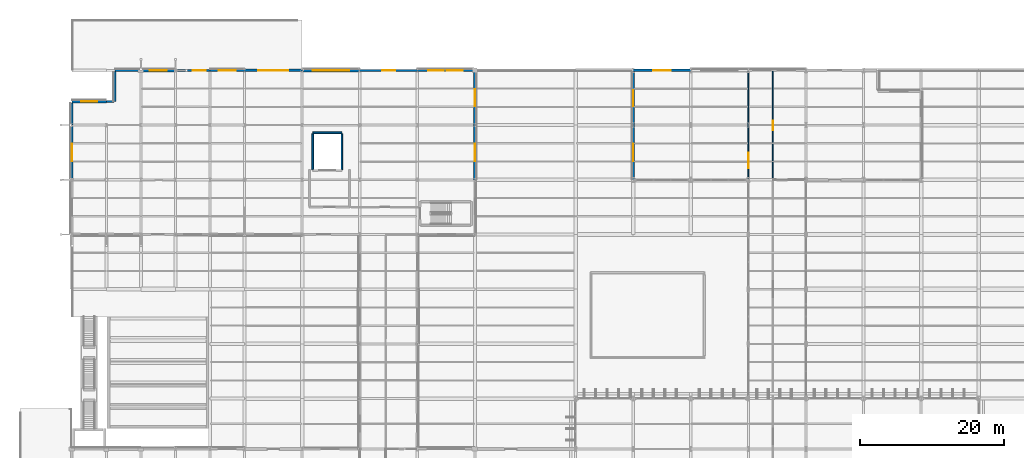
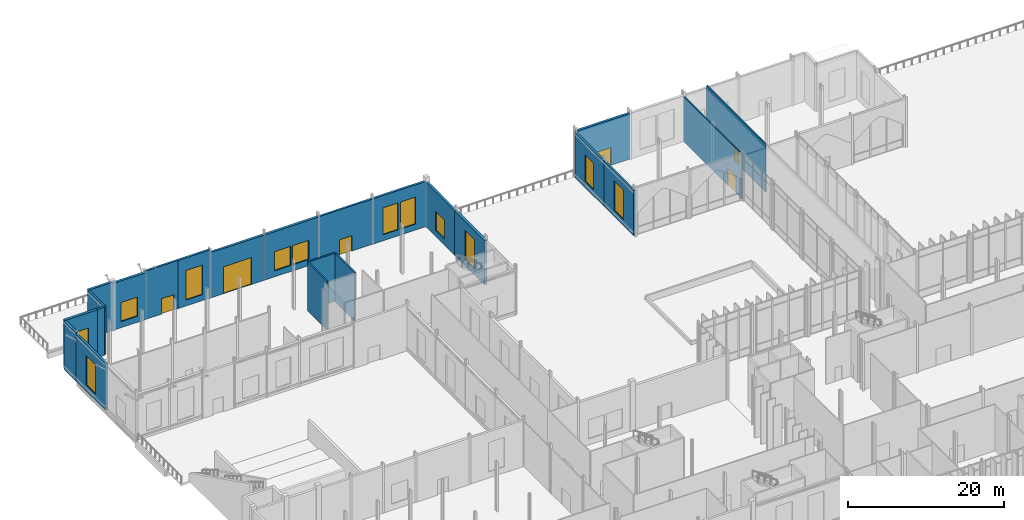
# One storey, part 148 of 176: 23 walls, 12 windows, 6 doors, 18 openings.
"""IFC4 building model written with IfcOpenShell, lengths in metres."""

from ifc_helpers import new_model, si_unit, direction, frame, frame_2d, origin, place, context, subcontext, project, spatial, rectangle, extrude, material, layer, layer_set, type_object, element, fill, save


model = new_model("IFC4")

# Units and contexts
model_context = context("Model", 3, precision=1e-05, world=origin(), true_north=direction((0.0, 1.0)))
body_context = subcontext(model_context, "Body", "Model", "MODEL_VIEW")
ifc_project = project(units=[si_unit("LENGTHUNIT", "METRE"), si_unit("AREAUNIT", "SQUARE_METRE"), si_unit("VOLUMEUNIT", "CUBIC_METRE"), si_unit("PLANEANGLEUNIT", "RADIAN"), si_unit("MASSUNIT", "GRAM", prefix="KILO")], contexts=[model_context])

# Site, building, storey
site_placement = place(None, origin())
site = spatial("IfcSite", under=ifc_project, at=site_placement, CompositionType="ELEMENT")
building_placement = place(site_placement, origin())
building = spatial("IfcBuilding", under=site, at=building_placement, Name="Vekula Escarpment Museum", CompositionType="ELEMENT")
storey_placement = place(building_placement, origin())
storey = spatial("IfcBuildingStorey", under=building, at=storey_placement, Name="L01", CompositionType="ELEMENT", Elevation=0.0)

# Wall, opening, window
ifc_material_1 = material(Name="Inkisi arkosic sandstone masonry", Category="masonry")
ifc_layer_1 = layer(ifc_material_1, 0.300048828125)
ifc_layer_set_1 = layer_set([ifc_layer_1], Name="Inkisi arkosic sandstone masonry")
wall_type_1 = type_object("IfcWallType", Name="WL-ALM-300", PredefinedType="SOLIDWALL", material=ifc_layer_set_1)
wall_1_placement = place(storey_placement, frame((78.0, 120.800048828125, 0.0), z_axis=(0.0, 0.0, 1.0), x_axis=(0.0, 1.0, 0.0)))
wall_1 = element("IfcWall", 1, at=wall_1_placement, inside=storey, type_object=wall_type_1, Name="Exterior Wall WL-EXT-L01-0187", PredefinedType="SOLIDWALL", context=body_context, shape_type="SweptSolid", body=[
    extrude(rectangle(XDim=7.599853515625, YDim=0.300048828125, at=frame_2d((3.7998046875, 0.0))), origin(), (0.0, 0.0, 1.0), 7.02490234375),
])
opening_1_placement = place(wall_1_placement, frame((2.60009765625, 0.0, 0.949951171875)))
opening_1 = element("IfcOpeningElement", 2, at=opening_1_placement, cuts=wall_1, Name="Opening WN-05", PredefinedType="OPENING", context=body_context, shape_type="SweptSolid", body=[
    extrude(rectangle(XDim=2.39990234375, YDim=4.60009765625, at=frame_2d((1.199951171875, 2.300048828125))), frame((0.0, 0.159912109375, 0.0), z_axis=(0.0, -1.0, 0.0), x_axis=(1.0, 0.0, 0.0)), (0.0, 0.0, 1.0), 0.320068359375),
])
ifc_material_2 = material(Name="Double solar-control low-E glass", Category="glass")
window_type_1 = type_object("IfcWindowType", Name="WN-ARCH-24x46", PartitioningType="TRIPLE_PANEL_VERTICAL", PredefinedType="WINDOW", material=ifc_material_2)
window_1_placement = place(opening_1_placement, origin())
window_1 = element("IfcWindow", 3, at=window_1_placement, inside=storey, type_object=window_type_1, Name="Window L01-0071", OverallHeight=4.60009765625, OverallWidth=2.39990234375, PartitioningType="SINGLE_PANEL", PredefinedType="WINDOW", context=body_context, shape_type="SweptSolid", body=[
    extrude(rectangle(XDim=2.39990234375, YDim=4.60009765625, at=frame_2d((1.199951171875, 2.300048828125))), frame((0.0, 0.030029296875, 0.0), z_axis=(0.0, -1.0, 0.0), x_axis=(1.0, 0.0, 0.0)), (0.0, 0.0, 1.0), 0.06005859375),
])
fill(opening_1, window_1)

# Wall, opening, door
wall_2_placement = place(storey_placement, frame((40.0, 136.0, 0.0), z_axis=(0.0, 0.0, 1.0), x_axis=(1.0, 0.0, 0.0)))
wall_2 = element("IfcWall", 4, at=wall_2_placement, inside=storey, type_object=wall_type_1, Name="Exterior Wall WL-EXT-L01-0219", PredefinedType="SOLIDWALL", context=body_context, shape_type="SweptSolid", body=[
    extrude(rectangle(XDim=8.0, YDim=0.300048828125, at=frame_2d((4.0, 0.0))), origin(), (0.0, 0.0, 1.0), 7.074951171875),
])
opening_2_placement = place(wall_2_placement, frame((3.10009765625, 0.0, 0.0)))
opening_2 = element("IfcOpeningElement", 5, at=opening_2_placement, cuts=wall_2, Name="Opening D-EX06", PredefinedType="OPENING", context=body_context, shape_type="SweptSolid", body=[
    extrude(rectangle(XDim=1.800048828125, YDim=2.39990234375, at=frame_2d((0.89990234375, 1.199951171875))), frame((0.0, 0.159912109375, 0.0), z_axis=(0.0, -1.0, 0.0), x_axis=(1.0, 0.0, 0.0)), (0.0, 0.0, 1.0), 0.320068359375),
])
ifc_material_3 = material(Name="Powder-coated steel exit door", Category="steel")
door_type_1 = type_object("IfcDoorType", Name="DR-EX-1800x2400", OperationType="NOTDEFINED", PredefinedType="DOOR", material=ifc_material_3)
door_1_placement = place(opening_2_placement, origin())
door_1 = element("IfcDoor", 6, at=door_1_placement, inside=storey, type_object=door_type_1, Name="North Service Corridor Exit D-EX06", OperationType="SINGLE_SWING_RIGHT", OverallHeight=2.39990234375, OverallWidth=1.800048828125, PredefinedType="DOOR", context=body_context, shape_type="SweptSolid", body=[
    extrude(rectangle(XDim=1.800048828125, YDim=2.39990234375, at=frame_2d((0.89990234375, 1.199951171875))), frame((0.0, 0.02490234375, 0.0), z_axis=(0.0, -1.0, 0.0), x_axis=(1.0, 0.0, 0.0)), (0.0, 0.0, 1.0), 0.050048828125),
])
fill(opening_2, door_1)

wall_3_placement = place(storey_placement, frame((14.39990234375, 136.0, 0.0), z_axis=(0.0, 0.0, 1.0), x_axis=(1.0, 0.0, 0.0)))
wall_3 = element("IfcWall", 7, at=wall_3_placement, inside=storey, type_object=wall_type_1, Name="Exterior Wall WL-EXT-L01-0223", PredefinedType="SOLIDWALL", context=body_context, shape_type="SweptSolid", body=[
    extrude(rectangle(XDim=4.800048828125, YDim=0.300048828125, at=frame_2d((2.39990234375, 0.0))), origin(), (0.0, 0.0, 1.0), 7.5400390625),
])
opening_3_placement = place(wall_3_placement, frame((2.39990234375, 0.0, 0.0)))
opening_3 = element("IfcOpeningElement", 8, at=opening_3_placement, cuts=wall_3, Name="Opening D-EX20", PredefinedType="OPENING", context=body_context, shape_type="SweptSolid", body=[
    extrude(rectangle(XDim=1.800048828125, YDim=2.39990234375, at=frame_2d((0.89990234375, 1.199951171875))), frame((0.0, 0.159912109375, 0.0), z_axis=(0.0, -1.0, 0.0), x_axis=(1.0, 0.0, 0.0)), (0.0, 0.0, 1.0), 0.320068359375),
])
door_2_placement = place(opening_3_placement, origin())
door_2 = element("IfcDoor", 9, at=door_2_placement, inside=storey, type_object=door_type_1, Name="Loading Dock Personnel Exit Door D-EX20", OperationType="SINGLE_SWING_LEFT", OverallHeight=2.39990234375, OverallWidth=1.800048828125, PredefinedType="DOOR", context=body_context, shape_type="SweptSolid", body=[
    extrude(rectangle(XDim=1.800048828125, YDim=2.39990234375, at=frame_2d((0.89990234375, 1.199951171875))), frame((0.0, 0.02490234375, 0.0), z_axis=(0.0, -1.0, 0.0), x_axis=(1.0, 0.0, 0.0)), (0.0, 0.0, 1.0), 0.050048828125),
])
fill(opening_3, door_2)

# Wall
wall_4_placement = place(storey_placement, frame((4.800048828125, 131.66796875, 0.0), z_axis=(0.0, 0.0, 1.0), x_axis=(1.0, 0.0, 0.0)))
element("IfcWall", 10, at=wall_4_placement, inside=storey, type_object=wall_type_1, Name="Exterior Wall WL-EXT-L01-0227", PredefinedType="SOLIDWALL", context=body_context, shape_type="SweptSolid", body=[
    extrude(rectangle(XDim=1.035888671875, YDim=0.300048828125, at=frame_2d((0.51806640625, 0.0))), origin(), (0.0, 0.0, 1.0), 7.5400390625),
])

# Wall, opening, window
ifc_material_4 = material(Name="Inkisi arkosic sandstone masonry", Category="masonry")
ifc_layer_2 = layer(ifc_material_4, 0.320068359375)
ifc_layer_set_2 = layer_set([ifc_layer_2], Name="Inkisi arkosic sandstone masonry")
wall_type_2 = type_object("IfcWallType", Name="WL-ALM-320", PredefinedType="SOLIDWALL", material=ifc_layer_set_2)
wall_5_placement = place(storey_placement, frame((78.0, 128.39990234375, 0.0), z_axis=(0.0, 0.0, 1.0), x_axis=(0.0, 1.0, 0.0)))
wall_5 = element("IfcWall", 11, at=wall_5_placement, inside=storey, type_object=wall_type_2, Name="Exterior Wall WL-EXT-L01-0186", PredefinedType="SOLIDWALL", context=body_context, shape_type="SweptSolid", body=[
    extrude(rectangle(XDim=7.421142578125, YDim=0.320068359375, at=frame_2d((3.71044921875, 0.0))), origin(), (0.0, 0.0, 1.0), 7.02490234375),
])
opening_4_placement = place(wall_5_placement, frame((2.610595703125, 0.0, 0.949951171875)))
opening_4 = element("IfcOpeningElement", 12, at=opening_4_placement, cuts=wall_5, Name="Opening WN-04", PredefinedType="OPENING", context=body_context, shape_type="SweptSolid", body=[
    extrude(rectangle(XDim=2.199951171875, YDim=4.199951171875, at=frame_2d((1.10009765625, 2.10009765625))), frame((0.0, 0.169921875, 0.0), z_axis=(0.0, -1.0, 0.0), x_axis=(1.0, 0.0, 0.0)), (0.0, 0.0, 1.0), 0.340087890625),
])
ifc_material_5 = material(Name="Double solar-control low-E glass", Category="glass")
window_type_2 = type_object("IfcWindowType", Name="WN-ARCH-22x42", PartitioningType="DOUBLE_PANEL_VERTICAL", PredefinedType="WINDOW", material=ifc_material_5)
window_2_placement = place(opening_4_placement, origin())
window_2 = element("IfcWindow", 13, at=window_2_placement, inside=storey, type_object=window_type_2, Name="Window L01-0070", OverallHeight=4.199951171875, OverallWidth=2.199951171875, PartitioningType="SINGLE_PANEL", PredefinedType="WINDOW", context=body_context, shape_type="SweptSolid", body=[
    extrude(rectangle(XDim=2.199951171875, YDim=4.199951171875, at=frame_2d((1.10009765625, 2.10009765625))), frame((0.0, 0.030029296875, 0.0), z_axis=(0.0, -1.0, 0.0), x_axis=(1.0, 0.0, 0.0)), (0.0, 0.0, 1.0), 0.06005859375),
])
fill(opening_4, window_2)

# Wall, openings, windows
wall_6_placement = place(storey_placement, frame((48.0, 136.0, 0.0), z_axis=(0.0, 0.0, 1.0), x_axis=(1.0, 0.0, 0.0)))
wall_6 = element("IfcWall", 14, at=wall_6_placement, inside=storey, type_object=wall_type_2, Name="Exterior Wall WL-EXT-L01-0218", PredefinedType="SOLIDWALL", context=body_context, shape_type="SweptSolid", body=[
    extrude(rectangle(XDim=7.821044921875, YDim=0.320068359375, at=frame_2d((3.91064453125, 0.0))), origin(), (0.0, 0.0, 1.0), 7.074951171875),
])
opening_5_placement = place(wall_6_placement, frame((1.507080078125, 0.0, 0.949951171875)))
opening_5 = element("IfcOpeningElement", 15, at=opening_5_placement, cuts=wall_6, Name="Opening WN-04", PredefinedType="OPENING", context=body_context, shape_type="SweptSolid", body=[
    extrude(rectangle(XDim=2.199951171875, YDim=4.199951171875, at=frame_2d((1.10009765625, 2.10009765625))), frame((0.0, 0.169921875, 0.0), z_axis=(0.0, -1.0, 0.0), x_axis=(1.0, 0.0, 0.0)), (0.0, 0.0, 1.0), 0.340087890625),
])
opening_6_placement = place(wall_6_placement, frame((4.114013671875, 0.0, 0.949951171875)))
opening_6 = element("IfcOpeningElement", 16, at=opening_6_placement, cuts=wall_6, Name="Opening WN-04", PredefinedType="OPENING", context=body_context, shape_type="SweptSolid", body=[
    extrude(rectangle(XDim=2.199951171875, YDim=4.199951171875, at=frame_2d((1.10009765625, 2.10009765625))), frame((0.0, 0.169921875, 0.0), z_axis=(0.0, -1.0, 0.0), x_axis=(1.0, 0.0, 0.0)), (0.0, 0.0, 1.0), 0.340087890625),
])
window_3_placement = place(opening_5_placement, origin())
window_3 = element("IfcWindow", 17, at=window_3_placement, inside=storey, type_object=window_type_2, Name="Window L01-0082", OverallHeight=4.199951171875, OverallWidth=2.199951171875, PartitioningType="SINGLE_PANEL", PredefinedType="WINDOW", context=body_context, shape_type="SweptSolid", body=[
    extrude(rectangle(XDim=2.199951171875, YDim=4.199951171875, at=frame_2d((1.10009765625, 2.10009765625))), frame((0.0, 0.030029296875, 0.0), z_axis=(0.0, -1.0, 0.0), x_axis=(1.0, 0.0, 0.0)), (0.0, 0.0, 1.0), 0.06005859375),
])
fill(opening_5, window_3)
window_4_placement = place(opening_6_placement, origin())
window_4 = element("IfcWindow", 18, at=window_4_placement, inside=storey, type_object=window_type_2, Name="Window L01-0083", OverallHeight=4.199951171875, OverallWidth=2.199951171875, PartitioningType="SINGLE_PANEL", PredefinedType="WINDOW", context=body_context, shape_type="SweptSolid", body=[
    extrude(rectangle(XDim=2.199951171875, YDim=4.199951171875, at=frame_2d((1.10009765625, 2.10009765625))), frame((0.0, 0.030029296875, 0.0), z_axis=(0.0, -1.0, 0.0), x_axis=(1.0, 0.0, 0.0)), (0.0, 0.0, 1.0), 0.06005859375),
])
fill(opening_6, window_4)

# Wall, opening, window
wall_7_placement = place(storey_placement, frame((19.199951171875, 136.0, 0.0), z_axis=(0.0, 0.0, 1.0), x_axis=(1.0, 0.0, 0.0)))
wall_7 = element("IfcWall", 19, at=wall_7_placement, inside=storey, type_object=wall_type_2, Name="Exterior Wall WL-EXT-L01-0222", PredefinedType="SOLIDWALL", context=body_context, shape_type="SweptSolid", body=[
    extrude(rectangle(XDim=4.800048828125, YDim=0.320068359375, at=frame_2d((2.39990234375, 0.0))), origin(), (0.0, 0.0, 1.0), 7.5400390625),
])
opening_7_placement = place(wall_7_placement, frame((1.199951171875, 0.0, 0.949951171875)))
opening_7 = element("IfcOpeningElement", 20, at=opening_7_placement, cuts=wall_7, Name="Opening WN-05", PredefinedType="OPENING", context=body_context, shape_type="SweptSolid", body=[
    extrude(rectangle(XDim=2.39990234375, YDim=4.60009765625, at=frame_2d((1.199951171875, 2.300048828125))), frame((0.0, 0.169921875, 0.0), z_axis=(0.0, -1.0, 0.0), x_axis=(1.0, 0.0, 0.0)), (0.0, 0.0, 1.0), 0.340087890625),
])
window_5_placement = place(opening_7_placement, origin())
window_5 = element("IfcWindow", 21, at=window_5_placement, inside=storey, type_object=window_type_1, Name="Window L01-0086", OverallHeight=4.60009765625, OverallWidth=2.39990234375, PartitioningType="SINGLE_PANEL", PredefinedType="WINDOW", context=body_context, shape_type="SweptSolid", body=[
    extrude(rectangle(XDim=2.39990234375, YDim=4.60009765625, at=frame_2d((1.199951171875, 2.300048828125))), frame((0.0, 0.030029296875, 0.0), z_axis=(0.0, -1.0, 0.0), x_axis=(1.0, 0.0, 0.0)), (0.0, 0.0, 1.0), 0.06005859375),
])
fill(opening_7, window_5)

# Wall
wall_8_placement = place(storey_placement, frame((6.0, 131.66796875, 0.0), z_axis=(0.0, 0.0, 1.0), x_axis=(0.0, 1.0, 0.0)))
element("IfcWall", 22, at=wall_8_placement, inside=storey, type_object=wall_type_2, Name="Exterior Wall WL-EXT-L01-0226", PredefinedType="SOLIDWALL", context=body_context, shape_type="SweptSolid", body=[
    extrude(rectangle(XDim=4.153076171875, YDim=0.320068359375, at=frame_2d((2.07666015625, 0.0))), origin(), (0.0, 0.0, 1.0), 7.5400390625),
])

# Wall, opening, window
wall_9_placement = place(storey_placement, frame((0.0, 120.800048828125, 0.0), z_axis=(0.0, 0.0, 1.0), x_axis=(0.0, 1.0, 0.0)))
wall_9 = element("IfcWall", 23, at=wall_9_placement, inside=storey, type_object=wall_type_2, Name="Exterior Wall WL-EXT-L01-0230", PredefinedType="SOLIDWALL", context=body_context, shape_type="SweptSolid", body=[
    extrude(rectangle(XDim=7.599853515625, YDim=0.320068359375, at=frame_2d((3.7998046875, 0.0))), origin(), (0.0, 0.0, 1.0), 7.294921875),
])
opening_8_placement = place(wall_9_placement, frame((2.60009765625, 0.0, 0.949951171875)))
opening_8 = element("IfcOpeningElement", 24, at=opening_8_placement, cuts=wall_9, Name="Opening WN-05", PredefinedType="OPENING", context=body_context, shape_type="SweptSolid", body=[
    extrude(rectangle(XDim=2.39990234375, YDim=4.60009765625, at=frame_2d((1.199951171875, 2.300048828125))), frame((0.0, 0.169921875, 0.0), z_axis=(0.0, -1.0, 0.0), x_axis=(1.0, 0.0, 0.0)), (0.0, 0.0, 1.0), 0.340087890625),
])
window_6_placement = place(opening_8_placement, origin())
window_6 = element("IfcWindow", 25, at=window_6_placement, inside=storey, type_object=window_type_1, Name="Window L01-0089", OverallHeight=4.60009765625, OverallWidth=2.39990234375, PartitioningType="SINGLE_PANEL", PredefinedType="WINDOW", context=body_context, shape_type="SweptSolid", body=[
    extrude(rectangle(XDim=2.39990234375, YDim=4.60009765625, at=frame_2d((1.199951171875, 2.300048828125))), frame((0.0, 0.030029296875, 0.0), z_axis=(0.0, -1.0, 0.0), x_axis=(1.0, 0.0, 0.0)), (0.0, 0.0, 1.0), 0.06005859375),
])
fill(opening_8, window_6)

# Wall, opening, door
ifc_material_6 = material(Name="Inkisi arkosic sandstone masonry", Category="masonry")
ifc_layer_3 = layer(ifc_material_6, 0.35009765625)
ifc_layer_set_3 = layer_set([ifc_layer_3], Name="Inkisi arkosic sandstone masonry")
wall_type_3 = type_object("IfcWallType", Name="WL-ALM-350", PredefinedType="SOLIDWALL", material=ifc_layer_set_3)
wall_10_placement = place(storey_placement, frame((78.0, 136.0, 0.0), z_axis=(0.0, 0.0, 1.0), x_axis=(1.0, 0.0, 0.0)))
wall_10 = element("IfcWall", 26, at=wall_10_placement, inside=storey, type_object=wall_type_3, Name="Exterior Wall WL-EXT-L01-0185", PredefinedType="SOLIDWALL", context=body_context, shape_type="SweptSolid", body=[
    extrude(rectangle(XDim=8.0, YDim=0.35009765625, at=frame_2d((4.0, 0.0))), origin(), (0.0, 0.0, 1.0), 7.135009765625),
])
opening_9_placement = place(wall_10_placement, frame((2.800048828125, 0.0, 0.0)))
opening_9 = element("IfcOpeningElement", 27, at=opening_9_placement, cuts=wall_10, Name="Opening D-EX15", PredefinedType="OPENING", context=body_context, shape_type="SweptSolid", body=[
    extrude(rectangle(XDim=2.39990234375, YDim=2.800048828125, at=frame_2d((1.199951171875, 1.39990234375))), frame((0.0, 0.18505859375, 0.0), z_axis=(0.0, -1.0, 0.0), x_axis=(1.0, 0.0, 0.0)), (0.0, 0.0, 1.0), 0.3701171875),
])
ifc_material_7 = material(Name="Bronze-anodized glazed exit door", Category="aluminium")
door_type_2 = type_object("IfcDoorType", Name="DR-EX-2400x2800", OperationType="NOTDEFINED", PredefinedType="DOOR", material=ifc_material_7)
door_3_placement = place(opening_9_placement, origin())
door_3 = element("IfcDoor", 28, at=door_3_placement, inside=storey, type_object=door_type_2, Name="North Ethnography Exit D-EX15", OperationType="SINGLE_SWING_LEFT", OverallHeight=2.800048828125, OverallWidth=2.39990234375, PredefinedType="DOOR", context=body_context, shape_type="SweptSolid", body=[
    extrude(rectangle(XDim=2.39990234375, YDim=2.800048828125, at=frame_2d((1.199951171875, 1.39990234375))), frame((0.0, 0.02490234375, 0.0), z_axis=(0.0, -1.0, 0.0), x_axis=(1.0, 0.0, 0.0)), (0.0, 0.0, 1.0), 0.050048828125),
])
fill(opening_9, door_3)

# Wall, opening, window
wall_11_placement = place(storey_placement, frame((56.0, 136.0, 0.0), z_axis=(0.0, 0.0, 1.0), x_axis=(0.0, -1.0, 0.0)))
wall_11 = element("IfcWall", 29, at=wall_11_placement, inside=storey, type_object=wall_type_3, Name="Exterior Wall WL-EXT-L01-0217", PredefinedType="SOLIDWALL", context=body_context, shape_type="SweptSolid", body=[
    extrude(rectangle(XDim=7.60009765625, YDim=0.35009765625, at=frame_2d((3.800048828125, 0.0))), origin(), (0.0, 0.0, 1.0), 6.965087890625),
])
opening_10_placement = place(wall_11_placement, frame((2.60009765625, 0.0, 0.949951171875)))
opening_10 = element("IfcOpeningElement", 30, at=opening_10_placement, cuts=wall_11, Name="Opening WN-14", PredefinedType="OPENING", context=body_context, shape_type="SweptSolid", body=[
    extrude(rectangle(XDim=2.39990234375, YDim=3.0, at=frame_2d((1.199951171875, 1.5))), frame((0.0, 0.18505859375, 0.0), z_axis=(0.0, -1.0, 0.0), x_axis=(1.0, 0.0, 0.0)), (0.0, 0.0, 1.0), 0.3701171875),
])
ifc_material_8 = material(Name="Double solar-control low-E glass", Category="glass")
window_type_3 = type_object("IfcWindowType", Name="WN-CAFE-24x30", PartitioningType="TRIPLE_PANEL_VERTICAL", PredefinedType="WINDOW", material=ifc_material_8)
window_7_placement = place(opening_10_placement, origin())
window_7 = element("IfcWindow", 31, at=window_7_placement, inside=storey, type_object=window_type_3, Name="Window L01-0081", OverallHeight=3.0, OverallWidth=2.39990234375, PartitioningType="SINGLE_PANEL", PredefinedType="WINDOW", context=body_context, shape_type="SweptSolid", body=[
    extrude(rectangle(XDim=2.39990234375, YDim=3.0, at=frame_2d((1.199951171875, 1.5))), frame((0.0, 0.030029296875, 0.0), z_axis=(0.0, -1.0, 0.0), x_axis=(1.0, 0.0, 0.0)), (0.0, 0.0, 1.0), 0.06005859375),
])
fill(opening_10, window_7)

# Wall, opening, door
wall_12_placement = place(storey_placement, frame((24.0, 136.0, 0.0), z_axis=(0.0, 0.0, 1.0), x_axis=(1.0, 0.0, 0.0)))
wall_12 = element("IfcWall", 32, at=wall_12_placement, inside=storey, type_object=wall_type_3, Name="Exterior Wall WL-EXT-L01-0221", PredefinedType="SOLIDWALL", context=body_context, shape_type="SweptSolid", body=[
    extrude(rectangle(XDim=8.0, YDim=0.35009765625, at=frame_2d((4.0, 0.0))), origin(), (0.0, 0.0, 1.0), 7.074951171875),
])
opening_11_placement = place(wall_12_placement, frame((1.89990234375, 0.0, 0.0)))
opening_11 = element("IfcOpeningElement", 33, at=opening_11_placement, cuts=wall_12, Name="Opening D-SH01", PredefinedType="OPENING", context=body_context, shape_type="SweptSolid", body=[
    extrude(rectangle(XDim=4.199951171875, YDim=4.199951171875, at=frame_2d((2.10009765625, 2.10009765625))), frame((0.0, 0.18505859375, 0.0), z_axis=(0.0, -1.0, 0.0), x_axis=(1.0, 0.0, 0.0)), (0.0, 0.0, 1.0), 0.3701171875),
])
ifc_material_9 = material(Name="Insulated galvanized steel roller shutter", Category="steel")
door_type_3 = type_object("IfcDoorType", Name="DR-SHUTTER-4200", OperationType="ROLLINGUP", PredefinedType="DOOR", material=ifc_material_9)
door_4_placement = place(opening_11_placement, origin())
door_4 = element("IfcDoor", 34, at=door_4_placement, inside=storey, type_object=door_type_3, Name="Loading Dock Roller Shutter D-SH01", OperationType="ROLLINGUP", OverallHeight=4.199951171875, OverallWidth=4.199951171875, PredefinedType="DOOR", context=body_context, shape_type="SweptSolid", body=[
    extrude(rectangle(XDim=4.199951171875, YDim=4.199951171875, at=frame_2d((2.10009765625, 2.10009765625))), frame((0.0, 0.02490234375, 0.0), z_axis=(0.0, -1.0, 0.0), x_axis=(1.0, 0.0, 0.0)), (0.0, 0.0, 1.0), 0.050048828125),
])
fill(opening_11, door_4)

# Walls
wall_13_placement = place(storey_placement, frame((6.0, 136.0, 0.0), z_axis=(0.0, 0.0, 1.0), x_axis=(1.0, 0.0, 0.0)))
element("IfcWall", 35, at=wall_13_placement, inside=storey, type_object=wall_type_3, Name="Exterior Wall WL-EXT-L01-0225", PredefinedType="SOLIDWALL", context=body_context, shape_type="SweptSolid", body=[
    extrude(rectangle(XDim=3.60009765625, YDim=0.35009765625, at=frame_2d((1.800048828125, 0.0))), origin(), (0.0, 0.0, 1.0), 7.5400390625),
])
wall_14_placement = place(storey_placement, frame((0.0, 128.39990234375, 0.0), z_axis=(0.0, 0.0, 1.0), x_axis=(0.0, 1.0, 0.0)))
element("IfcWall", 36, at=wall_14_placement, inside=storey, type_object=wall_type_3, Name="Exterior Wall WL-EXT-L01-0229", PredefinedType="SOLIDWALL", context=body_context, shape_type="SweptSolid", body=[
    extrude(rectangle(XDim=3.07421875, YDim=0.35009765625, at=frame_2d((1.537109375, 0.0))), origin(), (0.0, 0.0, 1.0), 7.5400390625),
])

# Wall, opening, window
ifc_material_10 = material(Name="Inkisi arkosic sandstone masonry", Category="masonry")
ifc_layer_4 = layer(ifc_material_10, 0.3798828125)
ifc_layer_set_4 = layer_set([ifc_layer_4], Name="Inkisi arkosic sandstone masonry")
wall_type_4 = type_object("IfcWallType", Name="WL-ALM-380", PredefinedType="SOLIDWALL", material=ifc_layer_set_4)
wall_15_placement = place(storey_placement, frame((56.0, 128.39990234375, 0.0), z_axis=(0.0, 0.0, 1.0), x_axis=(0.0, -1.0, 0.0)))
wall_15 = element("IfcWall", 37, at=wall_15_placement, inside=storey, type_object=wall_type_4, Name="Exterior Wall WL-EXT-L01-0216", PredefinedType="SOLIDWALL", context=body_context, shape_type="SweptSolid", body=[
    extrude(rectangle(XDim=7.599853515625, YDim=0.3798828125, at=frame_2d((3.7998046875, 0.0))), origin(), (0.0, 0.0, 1.0), 6.965087890625),
])
opening_12_placement = place(wall_15_placement, frame((2.60009765625, 0.0, 0.949951171875)))
opening_12 = element("IfcOpeningElement", 38, at=opening_12_placement, cuts=wall_15, Name="Opening WN-05", PredefinedType="OPENING", context=body_context, shape_type="SweptSolid", body=[
    extrude(rectangle(XDim=2.39990234375, YDim=4.60009765625, at=frame_2d((1.199951171875, 2.300048828125))), frame((0.0, 0.199951171875, 0.0), z_axis=(0.0, -1.0, 0.0), x_axis=(1.0, 0.0, 0.0)), (0.0, 0.0, 1.0), 0.39990234375),
])
window_8_placement = place(opening_12_placement, origin())
window_8 = element("IfcWindow", 39, at=window_8_placement, inside=storey, type_object=window_type_1, Name="Window L01-0080", OverallHeight=4.60009765625, OverallWidth=2.39990234375, PartitioningType="SINGLE_PANEL", PredefinedType="WINDOW", context=body_context, shape_type="SweptSolid", body=[
    extrude(rectangle(XDim=2.39990234375, YDim=4.60009765625, at=frame_2d((1.199951171875, 2.300048828125))), frame((0.0, 0.030029296875, 0.0), z_axis=(0.0, -1.0, 0.0), x_axis=(1.0, 0.0, 0.0)), (0.0, 0.0, 1.0), 0.06005859375),
])
fill(opening_12, window_8)

# Wall, openings, windows
wall_16_placement = place(storey_placement, frame((32.0, 136.0, 0.0), z_axis=(0.0, 0.0, 1.0), x_axis=(1.0, 0.0, 0.0)))
wall_16 = element("IfcWall", 40, at=wall_16_placement, inside=storey, type_object=wall_type_4, Name="Exterior Wall WL-EXT-L01-0220", PredefinedType="SOLIDWALL", context=body_context, shape_type="SweptSolid", body=[
    extrude(rectangle(XDim=8.0, YDim=0.3798828125, at=frame_2d((4.0, 0.0))), origin(), (0.0, 0.0, 1.0), 7.074951171875),
])
opening_13_placement = place(wall_16_placement, frame((1.466796875, 0.0, 0.949951171875)))
opening_13 = element("IfcOpeningElement", 41, at=opening_13_placement, cuts=wall_16, Name="Opening WN-14", PredefinedType="OPENING", context=body_context, shape_type="SweptSolid", body=[
    extrude(rectangle(XDim=2.39990234375, YDim=3.0, at=frame_2d((1.199951171875, 1.5))), frame((0.0, 0.199951171875, 0.0), z_axis=(0.0, -1.0, 0.0), x_axis=(1.0, 0.0, 0.0)), (0.0, 0.0, 1.0), 0.39990234375),
])
opening_14_placement = place(wall_16_placement, frame((4.13330078125, 0.0, 0.949951171875)))
opening_14 = element("IfcOpeningElement", 42, at=opening_14_placement, cuts=wall_16, Name="Opening WN-14", PredefinedType="OPENING", context=body_context, shape_type="SweptSolid", body=[
    extrude(rectangle(XDim=2.39990234375, YDim=3.0, at=frame_2d((1.199951171875, 1.5))), frame((0.0, 0.199951171875, 0.0), z_axis=(0.0, -1.0, 0.0), x_axis=(1.0, 0.0, 0.0)), (0.0, 0.0, 1.0), 0.39990234375),
])
window_9_placement = place(opening_13_placement, origin())
window_9 = element("IfcWindow", 43, at=window_9_placement, inside=storey, type_object=window_type_3, Name="Window L01-0084", OverallHeight=3.0, OverallWidth=2.39990234375, PartitioningType="SINGLE_PANEL", PredefinedType="WINDOW", context=body_context, shape_type="SweptSolid", body=[
    extrude(rectangle(XDim=2.39990234375, YDim=3.0, at=frame_2d((1.199951171875, 1.5))), frame((0.0, 0.030029296875, 0.0), z_axis=(0.0, -1.0, 0.0), x_axis=(1.0, 0.0, 0.0)), (0.0, 0.0, 1.0), 0.06005859375),
])
fill(opening_13, window_9)
window_10_placement = place(opening_14_placement, origin())
window_10 = element("IfcWindow", 44, at=window_10_placement, inside=storey, type_object=window_type_3, Name="Window L01-0085", OverallHeight=3.0, OverallWidth=2.39990234375, PartitioningType="SINGLE_PANEL", PredefinedType="WINDOW", context=body_context, shape_type="SweptSolid", body=[
    extrude(rectangle(XDim=2.39990234375, YDim=3.0, at=frame_2d((1.199951171875, 1.5))), frame((0.0, 0.030029296875, 0.0), z_axis=(0.0, -1.0, 0.0), x_axis=(1.0, 0.0, 0.0)), (0.0, 0.0, 1.0), 0.06005859375),
])
fill(opening_14, window_10)

# Wall, opening, window
wall_17_placement = place(storey_placement, frame((9.60009765625, 136.0, 0.0), z_axis=(0.0, 0.0, 1.0), x_axis=(1.0, 0.0, 0.0)))
wall_17 = element("IfcWall", 45, at=wall_17_placement, inside=storey, type_object=wall_type_4, Name="Exterior Wall WL-EXT-L01-0224", PredefinedType="SOLIDWALL", context=body_context, shape_type="SweptSolid", body=[
    extrude(rectangle(XDim=4.7998046875, YDim=0.3798828125, at=frame_2d((2.39990234375, 0.0))), origin(), (0.0, 0.0, 1.0), 7.31494140625),
])
opening_15_placement = place(wall_17_placement, frame((1.199951171875, 0.0, 0.949951171875)))
opening_15 = element("IfcOpeningElement", 46, at=opening_15_placement, cuts=wall_17, Name="Opening WN-14", PredefinedType="OPENING", context=body_context, shape_type="SweptSolid", body=[
    extrude(rectangle(XDim=2.39990234375, YDim=3.0, at=frame_2d((1.199951171875, 1.5))), frame((0.0, 0.199951171875, 0.0), z_axis=(0.0, -1.0, 0.0), x_axis=(1.0, 0.0, 0.0)), (0.0, 0.0, 1.0), 0.39990234375),
])
window_11_placement = place(opening_15_placement, origin())
window_11 = element("IfcWindow", 47, at=window_11_placement, inside=storey, type_object=window_type_3, Name="Window L01-0087", OverallHeight=3.0, OverallWidth=2.39990234375, PartitioningType="SINGLE_PANEL", PredefinedType="WINDOW", context=body_context, shape_type="SweptSolid", body=[
    extrude(rectangle(XDim=2.39990234375, YDim=3.0, at=frame_2d((1.199951171875, 1.5))), frame((0.0, 0.030029296875, 0.0), z_axis=(0.0, -1.0, 0.0), x_axis=(1.0, 0.0, 0.0)), (0.0, 0.0, 1.0), 0.06005859375),
])
fill(opening_15, window_11)

wall_18_placement = place(storey_placement, frame((0.0, 131.66796875, 0.0), z_axis=(0.0, 0.0, 1.0), x_axis=(1.0, 0.0, 0.0)))
wall_18 = element("IfcWall", 48, at=wall_18_placement, inside=storey, type_object=wall_type_4, Name="Exterior Wall WL-EXT-L01-0228", PredefinedType="SOLIDWALL", context=body_context, shape_type="SweptSolid", body=[
    extrude(rectangle(XDim=4.800048828125, YDim=0.3798828125, at=frame_2d((2.39990234375, 0.0))), origin(), (0.0, 0.0, 1.0), 7.5400390625),
])
opening_16_placement = place(wall_18_placement, frame((1.300048828125, 0.0, 0.949951171875)))
opening_16 = element("IfcOpeningElement", 49, at=opening_16_placement, cuts=wall_18, Name="Opening WN-04", PredefinedType="OPENING", context=body_context, shape_type="SweptSolid", body=[
    extrude(rectangle(XDim=2.199951171875, YDim=4.199951171875, at=frame_2d((1.10009765625, 2.10009765625))), frame((0.0, 0.199951171875, 0.0), z_axis=(0.0, -1.0, 0.0), x_axis=(1.0, 0.0, 0.0)), (0.0, 0.0, 1.0), 0.39990234375),
])
window_12_placement = place(opening_16_placement, origin())
window_12 = element("IfcWindow", 50, at=window_12_placement, inside=storey, type_object=window_type_2, Name="Window L01-0088", OverallHeight=4.199951171875, OverallWidth=2.199951171875, PartitioningType="SINGLE_PANEL", PredefinedType="WINDOW", context=body_context, shape_type="SweptSolid", body=[
    extrude(rectangle(XDim=2.199951171875, YDim=4.199951171875, at=frame_2d((1.10009765625, 2.10009765625))), frame((0.0, 0.030029296875, 0.0), z_axis=(0.0, -1.0, 0.0), x_axis=(1.0, 0.0, 0.0)), (0.0, 0.0, 1.0), 0.06005859375),
])
fill(opening_16, window_12)

# Wall, opening, door
ifc_material_11 = material(Name="Gypsum board dry-lined partition", Category="gypsum")
ifc_layer_5 = layer(ifc_material_11, 0.14990234375)
ifc_layer_set_5 = layer_set([ifc_layer_5], Name="Gypsum board dry-lined partition")
wall_type_5 = type_object("IfcWallType", Name="WL-PART-150", PredefinedType="PARTITIONING", material=ifc_layer_set_5)
wall_19_placement = place(storey_placement, frame((97.39990234375, 120.800048828125, 0.0), z_axis=(0.0, 0.0, 1.0), x_axis=(0.0, 1.0, 0.0)))
wall_19 = element("IfcWall", 51, at=wall_19_placement, inside=storey, type_object=wall_type_5, Name="Interior Partition WL-INT-L01-0008", PredefinedType="PARTITIONING", context=body_context, shape_type="SweptSolid", body=[
    extrude(rectangle(XDim=15.0458984375, YDim=0.14990234375, at=frame_2d((7.52294921875, 0.0))), origin(), (0.0, 0.0, 1.0), 7.5400390625),
])
opening_17_placement = place(wall_19_placement, frame((6.873046875, 0.0, 0.0)))
opening_17 = element("IfcOpeningElement", 52, at=opening_17_placement, cuts=wall_19, Name="Opening DR-SM13", PredefinedType="OPENING", context=body_context, shape_type="SweptSolid", body=[
    extrude(rectangle(XDim=1.300048828125, YDim=2.25, at=frame_2d((0.64990234375, 1.125))), frame((0.0, 0.0849609375, 0.0), z_axis=(0.0, -1.0, 0.0), x_axis=(1.0, 0.0, 0.0)), (0.0, 0.0, 1.0), 0.169921875),
])
ifc_material_12 = material(Name="Acoustic seminar room door", Category="steel")
door_type_4 = type_object("IfcDoorType", Name="DR-SEM-1300x2250", OperationType="NOTDEFINED", PredefinedType="DOOR", material=ifc_material_12)
door_5_placement = place(opening_17_placement, origin())
door_5 = element("IfcDoor", 53, at=door_5_placement, inside=storey, type_object=door_type_4, Name="Interior Door L01-008", OperationType="SINGLE_SWING_LEFT", OverallHeight=2.25, OverallWidth=1.300048828125, PredefinedType="DOOR", context=body_context, shape_type="SweptSolid", body=[
    extrude(rectangle(XDim=1.300048828125, YDim=2.25, at=frame_2d((0.64990234375, 1.125))), frame((0.0, 0.02490234375, 0.0), z_axis=(0.0, -1.0, 0.0), x_axis=(1.0, 0.0, 0.0)), (0.0, 0.0, 1.0), 0.050048828125),
])
fill(opening_17, door_5)

ifc_material_13 = material(Name="Gypsum board gallery partition", Category="gypsum")
ifc_layer_6 = layer(ifc_material_13, 0.159912109375)
ifc_layer_set_6 = layer_set([ifc_layer_6], Name="Gypsum board gallery partition")
wall_type_6 = type_object("IfcWallType", Name="WL-PART-160", PredefinedType="PARTITIONING", material=ifc_layer_set_6)
wall_20_placement = place(storey_placement, frame((94.0, 120.97900390625, 0.0), z_axis=(0.0, 0.0, 1.0), x_axis=(0.0, 1.0, 0.0)))
wall_20 = element("IfcWall", 54, at=wall_20_placement, inside=storey, type_object=wall_type_6, Name="Interior Partition WL-INT-L01-0007", PredefinedType="PARTITIONING", context=body_context, shape_type="SweptSolid", body=[
    extrude(rectangle(XDim=14.826904296875, YDim=0.159912109375, at=frame_2d((7.41357421875, 0.0))), origin(), (0.0, 0.0, 1.0), 7.02490234375),
])
opening_18_placement = place(wall_20_placement, frame((1.40234375, 0.0, 0.0)))
opening_18 = element("IfcOpeningElement", 55, at=opening_18_placement, cuts=wall_20, Name="Opening DR-GL22", PredefinedType="OPENING", context=body_context, shape_type="SweptSolid", body=[
    extrude(rectangle(XDim=2.199951171875, YDim=2.60009765625, at=frame_2d((1.10009765625, 1.300048828125))), frame((0.0, 0.08984375, 0.0), z_axis=(0.0, -1.0, 0.0), x_axis=(1.0, 0.0, 0.0)), (0.0, 0.0, 1.0), 0.179931640625),
])
ifc_material_14 = material(Name="Double acoustic timber gallery door", Category="wood")
door_type_5 = type_object("IfcDoorType", Name="DR-GAL-2200x2600", OperationType="NOTDEFINED", PredefinedType="DOOR", material=ifc_material_14)
door_6_placement = place(opening_18_placement, origin())
door_6 = element("IfcDoor", 56, at=door_6_placement, inside=storey, type_object=door_type_5, Name="Interior Door L01-007", OperationType="SINGLE_SWING_RIGHT", OverallHeight=2.60009765625, OverallWidth=2.199951171875, PredefinedType="DOOR", context=body_context, shape_type="SweptSolid", body=[
    extrude(rectangle(XDim=2.199951171875, YDim=2.60009765625, at=frame_2d((1.10009765625, 1.300048828125))), frame((0.0, 0.02490234375, 0.0), z_axis=(0.0, -1.0, 0.0), x_axis=(1.0, 0.0, 0.0)), (0.0, 0.0, 1.0), 0.050048828125),
])
fill(opening_18, door_6)

# Walls
ifc_material_15 = material(Name="Concrete C35/45", Category="concrete")
ifc_layer_7 = layer(ifc_material_15, 0.239990234375)
ifc_layer_set_7 = layer_set([ifc_layer_7], Name="Concrete C35/45")
wall_type_7 = type_object("IfcWallType", Name="WL-SHF-240", PredefinedType="SHEAR", material=ifc_layer_set_7)
wall_21_placement = place(storey_placement, frame((33.47998046875, 127.320068359375, 0.0), z_axis=(0.0, 0.0, 1.0), x_axis=(1.0, 0.0, 0.0)))
element("IfcWall", 57, at=wall_21_placement, inside=storey, type_object=wall_type_7, Name="Lift Shaft Wall GL-01 L01 N", PredefinedType="SHEAR", context=body_context, shape_type="SweptSolid", body=[
    extrude(rectangle(XDim=4.0400390625, YDim=0.239990234375, at=frame_2d((2.02001953125, 0.0))), origin(), (0.0, 0.0, 1.0), 7.5400390625),
])
for number, where, z_axis, x_axis, name in (
    (58, (33.47998046875, 122.2041015625, 0.0), (0.0, 0.0, 1.0), (0.0, 1.0, 0.0), "Lift Shaft Wall GL-01 L01 W"),
    (59, (37.52001953125, 122.2041015625, 0.0), (0.0, 0.0, 1.0), (0.0, 1.0, 0.0), "Lift Shaft Wall GL-01 L01 E"),
):
    element("IfcWall", number, at=place(storey_placement, frame(where, z_axis=z_axis, x_axis=x_axis)), inside=storey, type_object=wall_type_7, Name=name, PredefinedType="SHEAR", context=body_context, shape_type="SweptSolid", body=[
        extrude(rectangle(XDim=4.991943359375, YDim=0.239990234375, at=frame_2d((2.49609375, 0.0))), origin(), (0.0, 0.0, 1.0), 7.5400390625),
    ])

save(model, "model.ifc")
